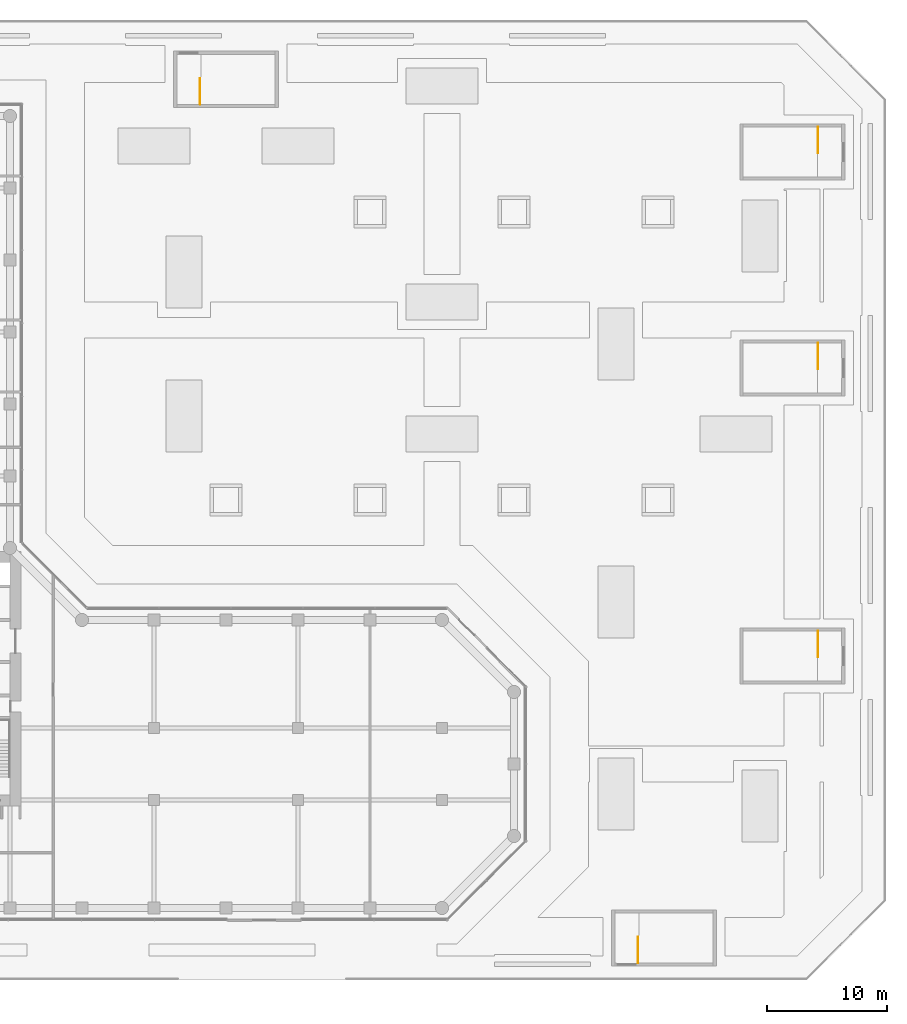
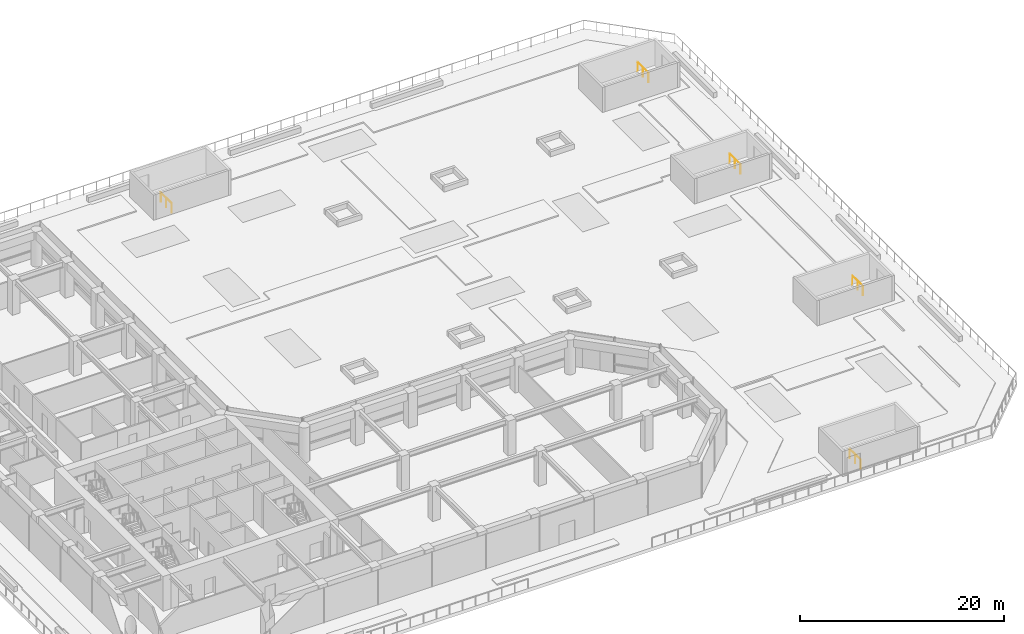
# One storey, part 31 of 31: 5 railings.
"""IFC4 building model written with IfcOpenShell, lengths in metres."""

from ifc_helpers import new_model, si_unit, direction, frame, origin, origin_2d, place, context, subcontext, project, spatial, circle, extrude, material, type_object, element, save


model = new_model("IFC4")

# Units and contexts
model_context = context("Model", 3, precision=1e-05, world=origin(), true_north=direction((0.0, 1.0)))
body_context = subcontext(model_context, "Body", "Model", "MODEL_VIEW")
ifc_project = project(units=[si_unit("LENGTHUNIT", "METRE"), si_unit("AREAUNIT", "SQUARE_METRE"), si_unit("VOLUMEUNIT", "CUBIC_METRE"), si_unit("PLANEANGLEUNIT", "RADIAN"), si_unit("MASSUNIT", "GRAM", prefix="KILO")], contexts=[model_context])

# Site, building, storey
site_placement = place(None, origin())
site = spatial("IfcSite", under=ifc_project, at=site_placement, CompositionType="ELEMENT")
building_placement = place(site_placement, origin())
building = spatial("IfcBuilding", under=site, at=building_placement, Name="Welwitschia Terrace Campus", CompositionType="ELEMENT")
storey_placement = place(building_placement, frame((0.0, 0.0, 11.0)))
storey = spatial("IfcBuildingStorey", under=building, at=storey_placement, Name="L02", CompositionType="ELEMENT", Elevation=11.0)

# Railings
ifc_material = material(Name="Steel S355", Category="steel")
railing_type = type_object("IfcRailingType", Name="Stair guard 1100", PredefinedType="GUARDRAIL", material=ifc_material)
railing_1_placement = place(storey_placement, frame((91.35009765625, 61.074951171875, 0.0)))
element("IfcRailing", 1, at=railing_1_placement, inside=storey, type_object=railing_type, Name="L02 P3 top well guard 1", PredefinedType="GUARDRAIL", context=body_context, shape_type="SweptSolid", body=[
    extrude(circle(Radius=0.02392578125, at=origin_2d()), frame((0.0, 0.0, 1.076171875), z_axis=(0.0, -1.0, 0.0), x_axis=(1.0, 0.0, 0.0)), (0.0, 0.0, 1.0), 2.14990234375),
    extrude(circle(Radius=0.02099609375, at=origin_2d()), origin(), (0.0, 0.0, 1.0), 1.052001953125),
    extrude(circle(Radius=0.02099609375, at=origin_2d()), frame((0.0, -1.074951171875, 0.0)), (0.0, 0.0, 1.0), 1.052001953125),
    extrude(circle(Radius=0.02099609375, at=origin_2d()), frame((0.0, -2.14990234375, 0.0)), (0.0, 0.0, 1.0), 1.052001953125),
])
railing_2_placement = place(storey_placement, frame((76.35009765625, -8.574951171875, 0.0)))
element("IfcRailing", 2, at=railing_2_placement, inside=storey, type_object=railing_type, Name="L02 P5 top well guard 1", PredefinedType="GUARDRAIL", context=body_context, shape_type="SweptSolid", body=[
    extrude(circle(Radius=0.02392578125, at=origin_2d()), frame((0.0, 0.0, 1.076171875), z_axis=(0.0, 1.0, 0.0), x_axis=(-1.0, 0.0, 0.0)), (0.0, 0.0, 1.0), 2.14990234375),
    extrude(circle(Radius=0.02099609375, at=origin_2d()), origin(), (0.0, 0.0, 1.0), 1.052001953125),
    extrude(circle(Radius=0.02099609375, at=origin_2d()), frame((0.0, 1.074951171875, 0.0)), (0.0, 0.0, 1.0), 1.052001953125),
    extrude(circle(Radius=0.02099609375, at=origin_2d()), frame((0.0, 2.14990234375, 0.0)), (0.0, 0.0, 1.0), 1.052001953125),
])
railing_3_placement = place(storey_placement, frame((91.35009765625, 19.074951171875, 0.0)))
element("IfcRailing", 3, at=railing_3_placement, inside=storey, type_object=railing_type, Name="L02 P6 top well guard 1", PredefinedType="GUARDRAIL", context=body_context, shape_type="SweptSolid", body=[
    extrude(circle(Radius=0.02392578125, at=origin_2d()), frame((0.0, 0.0, 1.076171875), z_axis=(0.0, -1.0, 0.0), x_axis=(1.0, 0.0, 0.0)), (0.0, 0.0, 1.0), 2.14990234375),
    extrude(circle(Radius=0.02099609375, at=origin_2d()), origin(), (0.0, 0.0, 1.0), 1.052001953125),
    extrude(circle(Radius=0.02099609375, at=origin_2d()), frame((0.0, -1.074951171875, 0.0)), (0.0, 0.0, 1.0), 1.052001953125),
    extrude(circle(Radius=0.02099609375, at=origin_2d()), frame((0.0, -2.14990234375, 0.0)), (0.0, 0.0, 1.0), 1.052001953125),
])
railing_4_placement = place(storey_placement, frame((39.85009765625, 62.97509765625, 0.0)))
element("IfcRailing", 4, at=railing_4_placement, inside=storey, type_object=railing_type, Name="L02 P7 top well guard 1", PredefinedType="GUARDRAIL", context=body_context, shape_type="SweptSolid", body=[
    extrude(circle(Radius=0.02392578125, at=origin_2d()), frame((0.0, 0.0, 1.076171875), z_axis=(0.0, 1.0, 0.0), x_axis=(-1.0, 0.0, 0.0)), (0.0, 0.0, 1.0), 2.14990234375),
    extrude(circle(Radius=0.02099609375, at=origin_2d()), origin(), (0.0, 0.0, 1.0), 1.052001953125),
    extrude(circle(Radius=0.02099609375, at=origin_2d()), frame((0.0, 1.074951171875, 0.0)), (0.0, 0.0, 1.0), 1.052001953125),
    extrude(circle(Radius=0.02099609375, at=origin_2d()), frame((0.0, 2.14990234375, 0.0)), (0.0, 0.0, 1.0), 1.052001953125),
])
railing_5_placement = place(storey_placement, frame((91.35009765625, 43.074951171875, 0.0)))
element("IfcRailing", 5, at=railing_5_placement, inside=storey, type_object=railing_type, Name="L02 P8 top well guard 1", PredefinedType="GUARDRAIL", context=body_context, shape_type="SweptSolid", body=[
    extrude(circle(Radius=0.02392578125, at=origin_2d()), frame((0.0, 0.0, 1.076171875), z_axis=(0.0, -1.0, 0.0), x_axis=(1.0, 0.0, 0.0)), (0.0, 0.0, 1.0), 2.14990234375),
    extrude(circle(Radius=0.02099609375, at=origin_2d()), origin(), (0.0, 0.0, 1.0), 1.052001953125),
    extrude(circle(Radius=0.02099609375, at=origin_2d()), frame((0.0, -1.074951171875, 0.0)), (0.0, 0.0, 1.0), 1.052001953125),
    extrude(circle(Radius=0.02099609375, at=origin_2d()), frame((0.0, -2.14990234375, 0.0)), (0.0, 0.0, 1.0), 1.052001953125),
])

save(model, "model.ifc")
